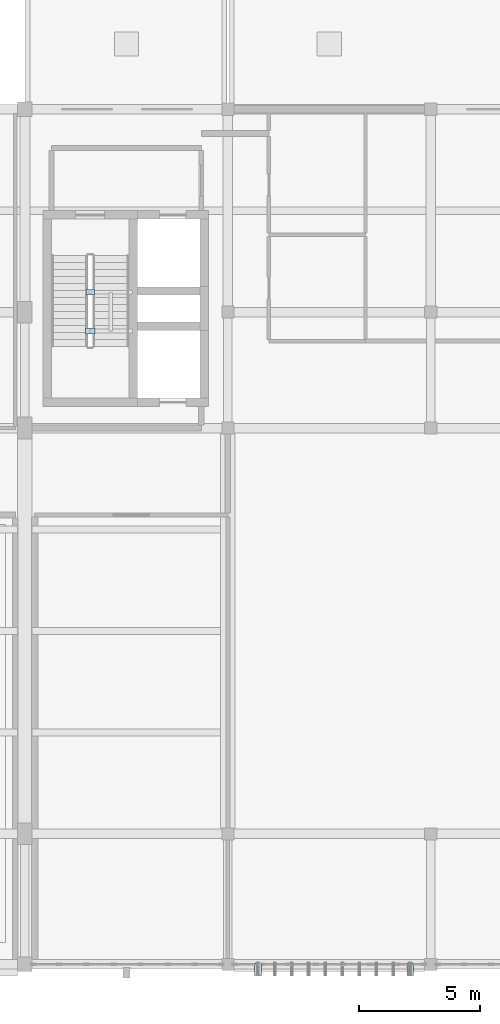
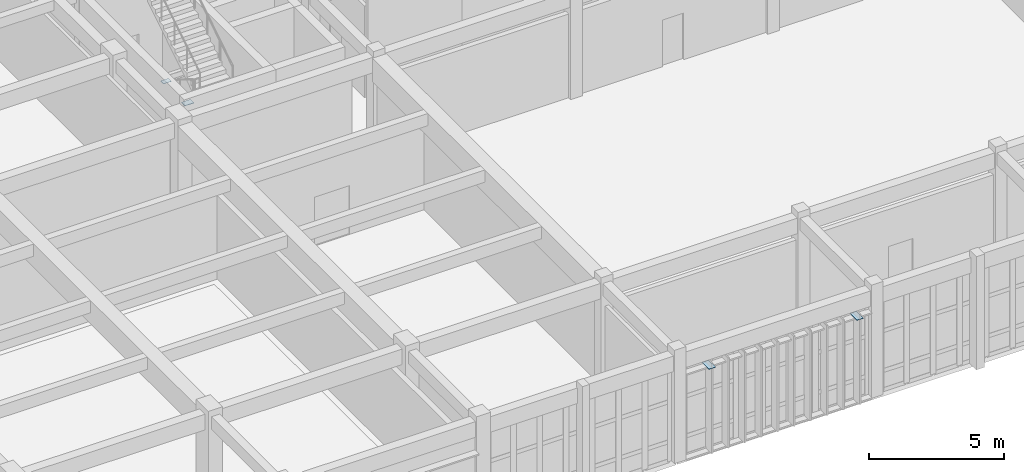
# One storey, part 67 of 93: 4 plates.
"""IFC4 building model written with IfcOpenShell, lengths in metres."""

from ifc_helpers import new_model, si_unit, direction, frame, origin, origin_2d, place, context, subcontext, project, spatial, rectangle, extrude, material, layer, layer_set, type_object, element, save


model = new_model("IFC4")

# Units and contexts
model_context = context("Model", 3, precision=1e-05, world=origin(), true_north=direction((0.0, 1.0)))
body_context = subcontext(model_context, "Body", "Model", "MODEL_VIEW")
ifc_project = project(units=[si_unit("LENGTHUNIT", "METRE"), si_unit("AREAUNIT", "SQUARE_METRE"), si_unit("VOLUMEUNIT", "CUBIC_METRE"), si_unit("PLANEANGLEUNIT", "RADIAN"), si_unit("MASSUNIT", "GRAM", prefix="KILO")], contexts=[model_context])

# Site, building, storey
site_placement = place(None, origin())
site = spatial("IfcSite", under=ifc_project, at=site_placement, CompositionType="ELEMENT")
building_placement = place(site_placement, origin())
building = spatial("IfcBuilding", under=site, at=building_placement, Name="Krzemoval Escarpment Law Courts", CompositionType="ELEMENT")
storey_placement = place(building_placement, frame((0.0, 0.0, 10.199951171875)))
storey = spatial("IfcBuildingStorey", under=building, at=storey_placement, Name="L02", CompositionType="ELEMENT", Elevation=10.199951171875)

# Plates
ifc_material_1 = material(Name="Anodised Aluminium Alloy 6063-T6", Category="aluminium")
ifc_layer_1 = layer(ifc_material_1, 0.01611328125)
ifc_layer_set_1 = layer_set([ifc_layer_1], Name="Anodised Aluminium Alloy 6063-T6")
plate_type_1 = type_object("IfcPlateType", Name="PLT-FIN-16", PredefinedType="USERDEFINED", material=ifc_layer_set_1)
for number, where, z_axis, x_axis, name in (
    (1, (125.14990234375, -0.199951171875, 3.89208984375), (0.0, 0.0, 1.0), (0.0, -1.0, 0.0), "Sunshade Fin Blade FN-L02-0545"),
    (2, (118.85009765625, -0.199951171875, 3.89208984375), (0.0, 0.0, 1.0), (0.0, -1.0, 0.0), "Sunshade Fin Blade FN-L02-0554"),
):
    element("IfcPlate", number, at=place(storey_placement, frame(where, z_axis=z_axis, x_axis=x_axis)), inside=storey, type_object=plate_type_1, Name=name, ObjectType="SUNSHADE_FIN", PredefinedType="USERDEFINED", context=body_context, shape_type="SweptSolid", body=[
        extrude(rectangle(XDim=0.52001953125, YDim=0.280029296875, at=origin_2d()), origin(), (0.0, 0.0, 1.0), 0.01611328125),
    ])
ifc_material_2 = material(Name="Steel S355", Category="steel")
ifc_layer_2 = layer(ifc_material_2, 0.011962890625)
ifc_layer_set_2 = layer_set([ifc_layer_2], Name="Steel S355")
plate_type_2 = type_object("IfcPlateType", Name="PLT-GUS-12", PredefinedType="USERDEFINED", material=ifc_layer_set_2)
plate_1_placement = place(storey_placement, frame((111.89990234375, 27.820068359375, 2.1142578125), z_axis=(0.0, 0.0, 1.0), x_axis=(1.0, 0.0, 0.0)))
element("IfcPlate", 3, at=plate_1_placement, inside=storey, type_object=plate_type_2, Name="Gusset and End-Cap Plate ECP-0391", ObjectType="GUSSET_PLATE", PredefinedType="USERDEFINED", context=body_context, shape_type="SweptSolid", body=[
    extrude(rectangle(XDim=0.340087890625, YDim=0.219970703125, at=origin_2d()), origin(), (0.0, 0.0, 1.0), 0.011962890625),
])
ifc_material_3 = material(Name="Steel S355", Category="steel")
ifc_layer_3 = layer(ifc_material_3, 0.01611328125)
ifc_layer_set_3 = layer_set([ifc_layer_3], Name="Steel S355")
plate_type_3 = type_object("IfcPlateType", Name="PLT-GUS-16", PredefinedType="USERDEFINED", material=ifc_layer_set_3)
plate_2_placement = place(storey_placement, frame((111.89990234375, 26.219970703125, 2.112060546875), z_axis=(0.0, 0.0, 1.0), x_axis=(1.0, 0.0, 0.0)))
element("IfcPlate", 4, at=plate_2_placement, inside=storey, type_object=plate_type_3, Name="Gusset and End-Cap Plate ECP-0390", ObjectType="GUSSET_PLATE", PredefinedType="USERDEFINED", context=body_context, shape_type="SweptSolid", body=[
    extrude(rectangle(XDim=0.3798828125, YDim=0.260009765625, at=origin_2d()), origin(), (0.0, 0.0, 1.0), 0.01611328125),
])

save(model, "model.ifc")
